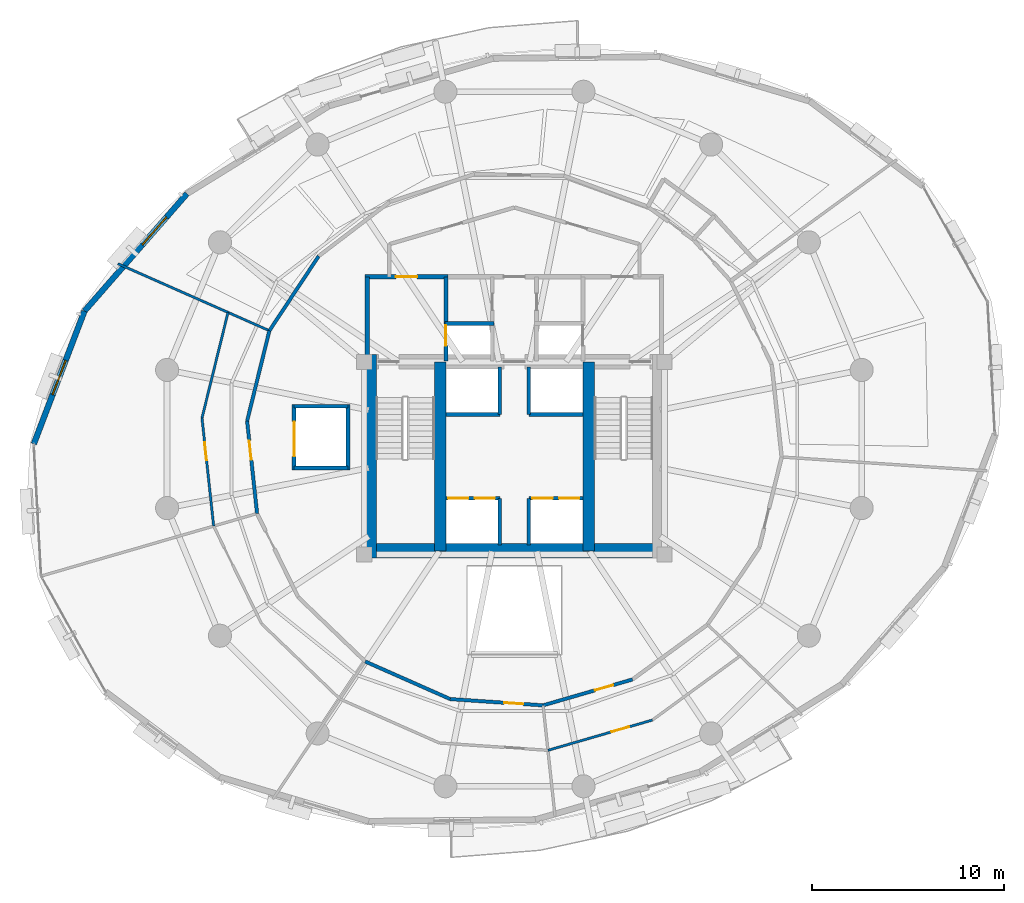
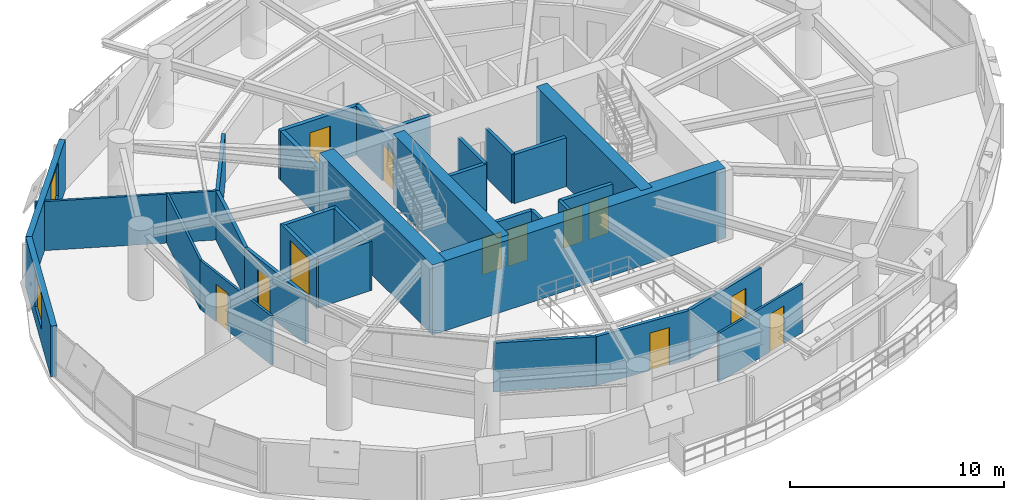
# One storey, part 10 of 15: 32 walls, 12 doors, 2 windows, 14 openings.
"""IFC4 building model written with IfcOpenShell, lengths in metres."""

from ifc_helpers import new_model, si_unit, direction, frame, frame_2d, origin, place, context, subcontext, project, spatial, rectangle, extrude, material, layer, layer_set, type_object, element, fill, save


model = new_model("IFC4")

# Units and contexts
model_context = context("Model", 3, precision=1e-05, world=origin(), true_north=direction((0.0, 1.0)))
body_context = subcontext(model_context, "Body", "Model", "MODEL_VIEW")
ifc_project = project(units=[si_unit("LENGTHUNIT", "METRE"), si_unit("AREAUNIT", "SQUARE_METRE"), si_unit("VOLUMEUNIT", "CUBIC_METRE"), si_unit("PLANEANGLEUNIT", "RADIAN"), si_unit("MASSUNIT", "GRAM", prefix="KILO"), si_unit("THERMODYNAMICTEMPERATUREUNIT", "KELVIN"), si_unit("POWERUNIT", "WATT")], contexts=[model_context])

# Site, building, storey
site_placement = place(None, origin())
site = spatial("IfcSite", under=ifc_project, at=site_placement, CompositionType="ELEMENT")
building_placement = place(site_placement, origin())
building = spatial("IfcBuilding", under=site, at=building_placement, Name="Ocrelia Relay Tower", CompositionType="ELEMENT")
storey_placement = place(building_placement, frame((0.0, 0.0, 101.800048828125)))
storey = spatial("IfcBuildingStorey", under=building, at=storey_placement, Name="L23", CompositionType="ELEMENT", Elevation=101.800048828125)

# Walls
ifc_material_1 = material(Name="Concrete C60/75", Category="concrete")
ifc_layer_1 = layer(ifc_material_1, 0.75, Name="Concrete C60/75")
ifc_layer_set_1 = layer_set([ifc_layer_1], Name="Concrete C60/75")
wall_type_1 = type_object("IfcWallType", Name="CW-CORE-750", PredefinedType="SHEAR", material=ifc_layer_set_1)
wall_1_placement = place(storey_placement, frame((26.072021484375, 20.18701171875, 0.0), z_axis=(0.0, 0.0, 1.0), x_axis=(1.0, 0.0, 0.0)))
element("IfcWall", 1, at=wall_1_placement, inside=storey, type_object=wall_type_1, Name="L23 Core Shear Wall S", PredefinedType="SHEAR", context=body_context, shape_type="SweptSolid", body=[
    extrude(rectangle(XDim=15.865966796875, YDim=0.75, at=frame_2d((7.93310546875, 0.0))), origin(), (0.0, 0.0, 1.0), 4.0),
])
wall_2_placement = place(storey_placement, frame((26.447021484375, 19.81201171875, 0.0), z_axis=(0.0, 0.0, 1.0), x_axis=(0.0, 1.0, 0.0)))
element("IfcWall", 2, at=wall_2_placement, inside=storey, type_object=wall_type_1, Name="L23 Core Shear Wall W", PredefinedType="SHEAR", context=body_context, shape_type="SweptSolid", body=[
    extrude(rectangle(XDim=10.575927734375, YDim=0.75, at=frame_2d((5.2880859375, 0.0))), origin(), (0.0, 0.0, 1.0), 4.0),
])
for number, where, z_axis, x_axis, name in (
    (3, (30.137939453125, 20.18701171875, 0.0), (0.0, 0.0, 1.0), (0.0, 1.0, 0.0), "L23 Core Shear Wall SPW"),
    (4, (37.8720703125, 20.18701171875, 0.0), (0.0, 0.0, 1.0), (0.0, 1.0, 0.0), "L23 Core Shear Wall SPE"),
):
    element("IfcWall", number, at=place(storey_placement, frame(where, z_axis=z_axis, x_axis=x_axis)), inside=storey, type_object=wall_type_1, Name=name, PredefinedType="SHEAR", context=body_context, shape_type="SweptSolid", body=[
        extrude(rectangle(XDim=9.825927734375, YDim=0.60009765625, at=frame_2d((4.9130859375, 0.0))), origin(), (0.0, 0.0, 1.0), 4.0),
    ])
ifc_material_2 = material(Name="Gypsum Fireboard Partition EI60", Category="gypsum")
ifc_layer_2 = layer(ifc_material_2, 0.179931640625, Name="Gypsum Fireboard Partition EI60")
ifc_layer_set_2 = layer_set([ifc_layer_2], Name="Gypsum Fireboard Partition EI60")
wall_type_2 = type_object("IfcWallType", Name="W-CORR-EI60-180", PredefinedType="PARTITIONING", material=ifc_layer_set_2)
wall_3_placement = place(storey_placement, frame((23.827880859375, 35.502197265625, 0.0), z_axis=(0.0, 0.0, 1.0), x_axis=(-0.551200394861, -0.834372893079, 0.0)))
element("IfcWall", 5, at=wall_3_placement, inside=storey, type_object=wall_type_2, Name="L23 Optical Switching Hall A Corridor Partition 5", PredefinedType="PARTITIONING", context=body_context, shape_type="SweptSolid", body=[
    extrude(rectangle(XDim=4.642822265625, YDim=0.179931640625, at=frame_2d((2.3212890625, 0.0))), origin(), (0.0, 0.0, 1.0), 2.800048828125),
])
wall_4_placement = place(storey_placement, frame((21.268798828125, 31.62841796875, 0.0), z_axis=(0.0, 0.0, 1.0), x_axis=(-0.239432930516, -0.970912906385, 0.0)))
element("IfcWall", 6, at=wall_4_placement, inside=storey, type_object=wall_type_2, Name="L23 Network Engineering Office A Corridor Partition 1", PredefinedType="PARTITIONING", context=body_context, shape_type="SweptSolid", body=[
    extrude(rectangle(XDim=4.834228515625, YDim=0.179931640625, at=frame_2d((2.4169921875, 0.0))), origin(), (0.0, 0.0, 1.0), 2.800048828125),
])

# Wall, opening, door
wall_5_placement = place(storey_placement, frame((20.111328125, 26.934814453125, 0.0), z_axis=(0.0, 0.0, 1.0), x_axis=(0.107160752917, -0.994241707551, 0.0)))
wall_5 = element("IfcWall", 7, at=wall_5_placement, inside=storey, type_object=wall_type_2, Name="L23 Network Engineering Office A Corridor Partition 2", PredefinedType="PARTITIONING", context=body_context, shape_type="SweptSolid", body=[
    extrude(rectangle(XDim=4.83447265625, YDim=0.179931640625, at=frame_2d((2.417236328125, 0.0))), origin(), (0.0, 0.0, 1.0), 2.800048828125),
])
opening_1_placement = place(wall_5_placement, frame((1.03369140625, 0.0, 0.0)))
opening_1 = element("IfcOpeningElement", 8, at=opening_1_placement, cuts=wall_5, Name="Opening D-RM100", PredefinedType="OPENING", context=body_context, shape_type="SweptSolid", body=[
    extrude(rectangle(XDim=1.0, YDim=2.14990234375, at=frame_2d((0.5, 1.074951171875))), frame((0.0, 0.10009765625, 0.0), z_axis=(0.0, -1.0, 0.0), x_axis=(1.0, 0.0, 0.0)), (0.0, 0.0, 1.0), 0.199951171875),
])
ifc_material_3 = material(Name="Acoustic oak veneer fire door", Category="wood")
door_type_1 = type_object("IfcDoorType", Name="DR-ROOM-FD60-1000", OperationType="NOTDEFINED", PredefinedType="DOOR", material=ifc_material_3)
door_1_placement = place(opening_1_placement, origin())
door_1 = element("IfcDoor", 9, at=door_1_placement, inside=storey, type_object=door_type_1, Name="L23 Network Engineering Office A Entrance Door", OperationType="SINGLE_SWING_RIGHT", OverallHeight=2.14990234375, OverallWidth=1.0, PredefinedType="DOOR", context=body_context, shape_type="SweptSolid", body=[
    extrude(rectangle(XDim=1.0, YDim=2.14990234375, at=frame_2d((0.5, 1.074951171875))), frame((0.0, 0.02490234375, 0.0), z_axis=(0.0, -1.0, 0.0), x_axis=(1.0, 0.0, 0.0)), (0.0, 0.0, 1.0), 0.050048828125),
])
fill(opening_1, door_1)

# Wall
wall_6_placement = place(storey_placement, frame((26.246337890625, 14.439453125, 0.0), z_axis=(0.0, 0.0, 1.0), x_axis=(0.914594968222, -0.404371171207, 0.0)))
element("IfcWall", 10, at=wall_6_placement, inside=storey, type_object=wall_type_2, Name="L23 Peering Systems Office C Corridor Partition 1", PredefinedType="PARTITIONING", context=body_context, shape_type="SweptSolid", body=[
    extrude(rectangle(XDim=4.834228515625, YDim=0.179931640625, at=frame_2d((2.4169921875, 0.0))), origin(), (0.0, 0.0, 1.0), 2.800048828125),
])

# Wall, opening, door
wall_7_placement = place(storey_placement, frame((30.667724609375, 12.484619140625, 0.0), z_axis=(0.0, 0.0, 1.0), x_axis=(0.997745204479, -0.067115623665, 0.0)))
wall_7 = element("IfcWall", 11, at=wall_7_placement, inside=storey, type_object=wall_type_2, Name="L23 Peering Systems Office C Corridor Partition 2", PredefinedType="PARTITIONING", context=body_context, shape_type="SweptSolid", body=[
    extrude(rectangle(XDim=4.83447265625, YDim=0.179931640625, at=frame_2d((2.417236328125, 0.0))), origin(), (0.0, 0.0, 1.0), 2.800048828125),
])
opening_2_placement = place(wall_7_placement, frame((2.80078125, 0.0, 0.0)))
opening_2 = element("IfcOpeningElement", 12, at=opening_2_placement, cuts=wall_7, Name="Opening D-RM100", PredefinedType="OPENING", context=body_context, shape_type="SweptSolid", body=[
    extrude(rectangle(XDim=1.0, YDim=2.14990234375, at=frame_2d((0.5, 1.074951171875))), frame((0.0, 0.10009765625, 0.0), z_axis=(0.0, -1.0, 0.0), x_axis=(1.0, 0.0, 0.0)), (0.0, 0.0, 1.0), 0.199951171875),
])
door_2_placement = place(opening_2_placement, origin())
door_2 = element("IfcDoor", 13, at=door_2_placement, inside=storey, type_object=door_type_1, Name="L23 Peering Systems Office C Entrance Door", OperationType="SINGLE_SWING_RIGHT", OverallHeight=2.14990234375, OverallWidth=1.0, PredefinedType="DOOR", context=body_context, shape_type="SweptSolid", body=[
    extrude(rectangle(XDim=1.0, YDim=2.14990234375, at=frame_2d((0.5, 1.074951171875))), frame((0.0, 0.02490234375, 0.0), z_axis=(0.0, -1.0, 0.0), x_axis=(1.0, 0.0, 0.0)), (0.0, 0.0, 1.0), 0.050048828125),
])
fill(opening_2, door_2)

wall_8_placement = place(storey_placement, frame((35.4912109375, 12.16015625, 0.0), z_axis=(0.0, 0.0, 1.0), x_axis=(0.96053834934, 0.27814758573, 0.0)))
wall_8 = element("IfcWall", 14, at=wall_8_placement, inside=storey, type_object=wall_type_2, Name="L23 Protocol Testing Lab Corridor Partition 1", PredefinedType="PARTITIONING", context=body_context, shape_type="SweptSolid", body=[
    extrude(rectangle(XDim=4.83447265625, YDim=0.179931640625, at=frame_2d((2.417236328125, 0.0))), origin(), (0.0, 0.0, 1.0), 2.800048828125),
])
opening_3_placement = place(wall_8_placement, frame((2.80078125, 0.0, 0.0)))
opening_3 = element("IfcOpeningElement", 15, at=opening_3_placement, cuts=wall_8, Name="Opening D-RM100", PredefinedType="OPENING", context=body_context, shape_type="SweptSolid", body=[
    extrude(rectangle(XDim=1.0, YDim=2.14990234375, at=frame_2d((0.5, 1.074951171875))), frame((0.0, 0.10009765625, 0.0), z_axis=(0.0, -1.0, 0.0), x_axis=(1.0, 0.0, 0.0)), (0.0, 0.0, 1.0), 0.199951171875),
])
door_3_placement = place(opening_3_placement, origin())
door_3 = element("IfcDoor", 16, at=door_3_placement, inside=storey, type_object=door_type_1, Name="L23 Protocol Testing Lab Entrance Door", OperationType="SINGLE_SWING_RIGHT", OverallHeight=2.14990234375, OverallWidth=1.0, PredefinedType="DOOR", context=body_context, shape_type="SweptSolid", body=[
    extrude(rectangle(XDim=1.0, YDim=2.14990234375, at=frame_2d((0.5, 1.074951171875))), frame((0.0, 0.02490234375, 0.0), z_axis=(0.0, -1.0, 0.0), x_axis=(1.0, 0.0, 0.0)), (0.0, 0.0, 1.0), 0.050048828125),
])
fill(opening_3, door_3)

# Wall, opening, window
ifc_material_4 = material(Name="Precast concrete C40/50 with oxide terracotta", Category="masonry")
ifc_layer_3 = layer(ifc_material_4, 0.300048828125, Name="Precast concrete C40/50 with oxide terracotta")
ifc_layer_set_3 = layer_set([ifc_layer_3], Name="Precast concrete C40/50 with oxide terracotta")
wall_type_3 = type_object("IfcWallType", Name="W-EXT-TERR-300", PredefinedType="SOLIDWALL", material=ifc_layer_set_3)
wall_9_placement = place(storey_placement, frame((16.983642578125, 38.743896484375, 0.0), z_axis=(0.0, 0.0, 1.0), x_axis=(-0.657799717716, -0.753192891212, 0.0)))
wall_9 = element("IfcWall", 17, at=wall_9_placement, inside=storey, type_object=wall_type_3, Name="L23 Oxide Terracotta Facade Wall 07", PredefinedType="SOLIDWALL", context=body_context, shape_type="SweptSolid", body=[
    extrude(rectangle(XDim=8.09521484375, YDim=0.300048828125, at=frame_2d((4.047607421875, 0.0))), origin(), (0.0, 0.0, 1.0), 2.89990234375),
])
opening_4_placement = place(wall_9_placement, frame((1.614990234375, 0.0, 0.800048828125)))
opening_4 = element("IfcOpeningElement", 18, at=opening_4_placement, cuts=wall_9, Name="Opening W-06", PredefinedType="OPENING", context=body_context, shape_type="SweptSolid", body=[
    extrude(rectangle(XDim=1.89990234375, YDim=1.949951171875, at=frame_2d((0.949951171875, 0.97509765625))), frame((0.0, 0.16015625, 0.0), z_axis=(0.0, -1.0, 0.0), x_axis=(1.0, 0.0, 0.0)), (0.0, 0.0, 1.0), 0.320068359375),
])
ifc_material_5 = material(Name="Clear double-glazed low-E glass", Category="glass")
window_type = type_object("IfcWindowType", Name="WIN-Z2-1900x2100", PartitioningType="DOUBLE_PANEL_VERTICAL", PredefinedType="WINDOW", material=ifc_material_5)
window_1_placement = place(opening_4_placement, origin())
window_1 = element("IfcWindow", 19, at=window_1_placement, inside=storey, type_object=window_type, Name="L23 Facade Module Window 07", OverallHeight=1.949951171875, OverallWidth=1.89990234375, PartitioningType="SINGLE_PANEL", PredefinedType="WINDOW", context=body_context, shape_type="SweptSolid", body=[
    extrude(rectangle(XDim=1.89990234375, YDim=1.949951171875, at=frame_2d((0.949951171875, 0.97509765625))), frame((0.0, 0.030029296875, 0.0), z_axis=(0.0, -1.0, 0.0), x_axis=(1.0, 0.0, 0.0)), (0.0, 0.0, 1.0), 0.06005859375),
])
fill(opening_4, window_1)

wall_10_placement = place(storey_placement, frame((11.65869140625, 32.646728515625, 0.0), z_axis=(0.0, 0.0, 1.0), x_axis=(-0.356227700277, -0.934399178914, 0.0)))
wall_10 = element("IfcWall", 20, at=wall_10_placement, inside=storey, type_object=wall_type_3, Name="L23 Oxide Terracotta Facade Wall 08", PredefinedType="SOLIDWALL", context=body_context, shape_type="SweptSolid", body=[
    extrude(rectangle(XDim=7.38330078125, YDim=0.300048828125, at=frame_2d((3.691650390625, 0.0))), origin(), (0.0, 0.0, 1.0), 2.89990234375),
])
opening_5_placement = place(wall_10_placement, frame((2.741943359375, 0.0, 0.800048828125)))
opening_5 = element("IfcOpeningElement", 21, at=opening_5_placement, cuts=wall_10, Name="Opening W-06", PredefinedType="OPENING", context=body_context, shape_type="SweptSolid", body=[
    extrude(rectangle(XDim=1.89990234375, YDim=1.949951171875, at=frame_2d((0.949951171875, 0.97509765625))), frame((0.0, 0.16015625, 0.0), z_axis=(0.0, -1.0, 0.0), x_axis=(1.0, 0.0, 0.0)), (0.0, 0.0, 1.0), 0.320068359375),
])
window_2_placement = place(opening_5_placement, origin())
window_2 = element("IfcWindow", 22, at=window_2_placement, inside=storey, type_object=window_type, Name="L23 Facade Module Window 08", OverallHeight=1.949951171875, OverallWidth=1.89990234375, PartitioningType="SINGLE_PANEL", PredefinedType="WINDOW", context=body_context, shape_type="SweptSolid", body=[
    extrude(rectangle(XDim=1.89990234375, YDim=1.949951171875, at=frame_2d((0.949951171875, 0.97509765625))), frame((0.0, 0.030029296875, 0.0), z_axis=(0.0, -1.0, 0.0), x_axis=(1.0, 0.0, 0.0)), (0.0, 0.0, 1.0), 0.06005859375),
])
fill(opening_5, window_2)

# Wall
ifc_material_6 = material(Name="Concrete C50/60", Category="concrete")
ifc_layer_4 = layer(ifc_material_6, 0.219970703125, Name="Concrete C50/60")
ifc_layer_set_4 = layer_set([ifc_layer_4], Name="Concrete C50/60")
wall_type_4 = type_object("IfcWallType", Name="W-FFL-EI120-220", PredefinedType="SOLIDWALL", material=ifc_layer_set_4)
wall_11_placement = place(storey_placement, frame((26.35009765625, 30.050048828125, 0.0), z_axis=(0.0, 0.0, 1.0), x_axis=(0.0, 1.0, 0.0)))
element("IfcWall", 23, at=wall_11_placement, inside=storey, type_object=wall_type_4, Name="L23 W Fire Service Lift Lobby West Wall", PredefinedType="SOLIDWALL", context=body_context, shape_type="SweptSolid", body=[
    extrude(rectangle(XDim=4.3798828125, YDim=0.219970703125, at=frame_2d((2.18994140625, 0.0))), origin(), (0.0, 0.0, 1.0), 2.800048828125),
])

# Wall, opening, door
wall_12_placement = place(storey_placement, frame((30.43994140625, 30.050048828125, 0.0), z_axis=(0.0, 0.0, 1.0), x_axis=(0.0, 1.0, 0.0)))
wall_12 = element("IfcWall", 24, at=wall_12_placement, inside=storey, type_object=wall_type_4, Name="L23 W Fire Service Lift Lobby East Wall", PredefinedType="SOLIDWALL", context=body_context, shape_type="SweptSolid", body=[
    extrude(rectangle(XDim=4.3798828125, YDim=0.219970703125, at=frame_2d((2.18994140625, 0.0))), origin(), (0.0, 0.0, 1.0), 2.800048828125),
])
opening_6_placement = place(wall_12_placement, frame((0.800048828125, 0.0, 0.0)))
opening_6 = element("IfcOpeningElement", 25, at=opening_6_placement, cuts=wall_12, Name="Opening LD-FFL1", PredefinedType="OPENING", context=body_context, shape_type="SweptSolid", body=[
    extrude(rectangle(XDim=1.050048828125, YDim=2.10009765625, at=frame_2d((0.52490234375, 1.050048828125))), frame((0.0, 0.1201171875, 0.0), z_axis=(0.0, -1.0, 0.0), x_axis=(1.0, 0.0, 0.0)), (0.0, 0.0, 1.0), 0.239990234375),
])
ifc_material_7 = material(Name="Brushed stainless steel S355 lift landing door", Category="steel")
door_type_2 = type_object("IfcDoorType", Name="DR-LIFT-LAND-1050", OperationType="DOUBLE_DOOR_SLIDING", PredefinedType="USERDEFINED", material=ifc_material_7)
door_4_placement = place(opening_6_placement, origin())
door_4 = element("IfcDoor", 26, at=door_4_placement, inside=storey, type_object=door_type_2, Name="L23 Firefighting Lift FFL1 Sliding Landing Door", ObjectType="LANDING DOOR", OperationType="DOUBLE_DOOR_SLIDING", OverallHeight=2.10009765625, OverallWidth=1.050048828125, PredefinedType="USERDEFINED", context=body_context, shape_type="SweptSolid", body=[
    extrude(rectangle(XDim=1.050048828125, YDim=2.10009765625, at=frame_2d((0.52490234375, 1.050048828125))), frame((0.0, 0.02490234375, 0.0), z_axis=(0.0, -1.0, 0.0), x_axis=(1.0, 0.0, 0.0)), (0.0, 0.0, 1.0), 0.050048828125),
])
fill(opening_6, door_4)

wall_13_placement = place(storey_placement, frame((26.239990234375, 34.429931640625, 0.0), z_axis=(0.0, 0.0, 1.0), x_axis=(1.0, 0.0, 0.0)))
wall_13 = element("IfcWall", 27, at=wall_13_placement, inside=storey, type_object=wall_type_4, Name="L23 W Fire Service Lift Lobby North Wall", PredefinedType="SOLIDWALL", context=body_context, shape_type="SweptSolid", body=[
    extrude(rectangle(XDim=4.31005859375, YDim=0.219970703125, at=frame_2d((2.155029296875, 0.0))), origin(), (0.0, 0.0, 1.0), 2.800048828125),
])
opening_7_placement = place(wall_13_placement, frame((1.60009765625, 0.0, 0.0)))
opening_7 = element("IfcOpeningElement", 28, at=opening_7_placement, cuts=wall_13, Name="Opening D-FD60", PredefinedType="OPENING", context=body_context, shape_type="SweptSolid", body=[
    extrude(rectangle(XDim=1.10009765625, YDim=2.14990234375, at=frame_2d((0.550048828125, 1.074951171875))), frame((0.0, 0.1201171875, 0.0), z_axis=(0.0, -1.0, 0.0), x_axis=(1.0, 0.0, 0.0)), (0.0, 0.0, 1.0), 0.239990234375),
])
ifc_material_8 = material(Name="Timber-core 60-min acoustic fire door", Category="wood")
door_type_3 = type_object("IfcDoorType", Name="DR-LOBBY-FD60-1100", OperationType="NOTDEFINED", PredefinedType="DOOR", material=ifc_material_8)
door_5_placement = place(opening_7_placement, origin())
door_5 = element("IfcDoor", 29, at=door_5_placement, inside=storey, type_object=door_type_3, Name="L23 W Fire Service Lift Lobby Exit Door", OperationType="SINGLE_SWING_RIGHT", OverallHeight=2.14990234375, OverallWidth=1.10009765625, PredefinedType="DOOR", context=body_context, shape_type="SweptSolid", body=[
    extrude(rectangle(XDim=1.10009765625, YDim=2.14990234375, at=frame_2d((0.550048828125, 1.074951171875))), frame((0.0, 0.02490234375, 0.0), z_axis=(0.0, -1.0, 0.0), x_axis=(1.0, 0.0, 0.0)), (0.0, 0.0, 1.0), 0.050048828125),
])
fill(opening_7, door_5)

# Walls
ifc_material_9 = material(Name="Acoustic Fireboard Partition EI60", Category="gypsum")
ifc_layer_5 = layer(ifc_material_9, 0.125, Name="Acoustic Fireboard Partition EI60")
ifc_layer_set_5 = layer_set([ifc_layer_5], Name="Acoustic Fireboard Partition EI60")
wall_type_5 = type_object("IfcWallType", Name="W-PART-125", PredefinedType="PARTITIONING", material=ifc_layer_set_5)
wall_14_placement = place(storey_placement, frame((21.268798828125, 31.62841796875, 0.0), z_axis=(0.0, 0.0, 1.0), x_axis=(-0.914600722763, 0.404358155504, 0.0)))
element("IfcWall", 30, at=wall_14_placement, inside=storey, type_object=wall_type_5, Name="L23 Optical Switching Hall A Radial Partition", PredefinedType="PARTITIONING", context=body_context, shape_type="SweptSolid", body=[
    extrude(rectangle(XDim=8.60498046875, YDim=0.125, at=frame_2d((4.302490234375, 0.0))), origin(), (0.0, 0.0, 1.0), 2.800048828125),
])
wall_15_placement = place(storey_placement, frame((19.119384765625, 32.57861328125, 0.0), z_axis=(0.0, 0.0, 1.0), x_axis=(-0.239403213687, -0.97092023425, 0.0)))
element("IfcWall", 31, at=wall_15_placement, inside=storey, type_object=wall_type_5, Name="L23 Perimeter Network Engineering Office A Mid-Ring Partition 1", PredefinedType="PARTITIONING", context=body_context, shape_type="SweptSolid", body=[
    extrude(rectangle(XDim=5.650634765625, YDim=0.125, at=frame_2d((2.8251953125, 0.0))), origin(), (0.0, 0.0, 1.0), 2.800048828125),
])

# Wall, opening, door
wall_16_placement = place(storey_placement, frame((17.7666015625, 27.09228515625, 0.0), z_axis=(0.0, 0.0, 1.0), x_axis=(0.107158626815, -0.994241936703, 0.0)))
wall_16 = element("IfcWall", 32, at=wall_16_placement, inside=storey, type_object=wall_type_5, Name="L23 Perimeter Network Engineering Office A Mid-Ring Partition 2", PredefinedType="PARTITIONING", context=body_context, shape_type="SweptSolid", body=[
    extrude(rectangle(XDim=5.650146484375, YDim=0.125, at=frame_2d((2.8251953125, 0.0))), origin(), (0.0, 0.0, 1.0), 2.800048828125),
])
opening_8_placement = place(wall_16_placement, frame((1.26513671875, 0.0, 0.0)))
opening_8 = element("IfcOpeningElement", 33, at=opening_8_placement, cuts=wall_16, Name="Opening D-RM95", PredefinedType="OPENING", context=body_context, shape_type="SweptSolid", body=[
    extrude(rectangle(XDim=0.949951171875, YDim=2.14990234375, at=frame_2d((0.47509765625, 1.074951171875))), frame((0.0, 0.072509765625, 0.0), z_axis=(0.0, -1.0, 0.0), x_axis=(1.0, 0.0, 0.0)), (0.0, 0.0, 1.0), 0.14501953125),
])
door_type_4 = type_object("IfcDoorType", Name="DR-ROOM-950", OperationType="NOTDEFINED", PredefinedType="DOOR", material=ifc_material_3)
door_6_placement = place(opening_8_placement, origin())
door_6 = element("IfcDoor", 34, at=door_6_placement, inside=storey, type_object=door_type_4, Name="L23 Perimeter Network Engineering Office A Connecting Door", OperationType="SINGLE_SWING_LEFT", OverallHeight=2.14990234375, OverallWidth=0.949951171875, PredefinedType="DOOR", context=body_context, shape_type="SweptSolid", body=[
    extrude(rectangle(XDim=0.949951171875, YDim=2.14990234375, at=frame_2d((0.47509765625, 1.074951171875))), frame((0.0, 0.02490234375, 0.0), z_axis=(0.0, -1.0, 0.0), x_axis=(1.0, 0.0, 0.0)), (0.0, 0.0, 1.0), 0.050048828125),
])
fill(opening_8, door_6)

wall_17_placement = place(storey_placement, frame((35.742919921875, 9.823486328125, 0.0), z_axis=(0.0, 0.0, 1.0), x_axis=(0.960536321172, 0.278154589587, 0.0)))
wall_17 = element("IfcWall", 35, at=wall_17_placement, inside=storey, type_object=wall_type_5, Name="L23 Perimeter Protocol Testing Lab Mid-Ring Partition 1", PredefinedType="PARTITIONING", context=body_context, shape_type="SweptSolid", body=[
    extrude(rectangle(XDim=5.650634765625, YDim=0.125, at=frame_2d((2.8251953125, 0.0))), origin(), (0.0, 0.0, 1.0), 2.800048828125),
])
opening_9_placement = place(wall_17_placement, frame((3.435302734375, 0.0, 0.0)))
opening_9 = element("IfcOpeningElement", 36, at=opening_9_placement, cuts=wall_17, Name="Opening D-RM95", PredefinedType="OPENING", context=body_context, shape_type="SweptSolid", body=[
    extrude(rectangle(XDim=0.949951171875, YDim=2.14990234375, at=frame_2d((0.47509765625, 1.074951171875))), frame((0.0, 0.072509765625, 0.0), z_axis=(0.0, -1.0, 0.0), x_axis=(1.0, 0.0, 0.0)), (0.0, 0.0, 1.0), 0.14501953125),
])
door_7_placement = place(opening_9_placement, origin())
door_7 = element("IfcDoor", 37, at=door_7_placement, inside=storey, type_object=door_type_4, Name="L23 Perimeter Protocol Testing Lab Connecting Door", OperationType="SINGLE_SWING_LEFT", OverallHeight=2.14990234375, OverallWidth=0.949951171875, PredefinedType="DOOR", context=body_context, shape_type="SweptSolid", body=[
    extrude(rectangle(XDim=0.949951171875, YDim=2.14990234375, at=frame_2d((0.47509765625, 1.074951171875))), frame((0.0, 0.02490234375, 0.0), z_axis=(0.0, -1.0, 0.0), x_axis=(1.0, 0.0, 0.0)), (0.0, 0.0, 1.0), 0.050048828125),
])
fill(opening_9, door_7)

# Wall
ifc_layer_6 = layer(ifc_material_6, 0.199951171875, Name="Concrete C50/60")
ifc_layer_set_6 = layer_set([ifc_layer_6], Name="Concrete C50/60")
wall_type_6 = type_object("IfcWallType", Name="W-SHAFT-EI120-200", PredefinedType="SOLIDWALL", material=ifc_layer_set_6)
wall_18_placement = place(storey_placement, frame((30.39990234375, 32.0, 0.0), z_axis=(0.0, 0.0, 1.0), x_axis=(1.0, 0.0, 0.0)))
element("IfcWall", 38, at=wall_18_placement, inside=storey, type_object=wall_type_6, Name="L23 FFL1 Hoistway North Wall", PredefinedType="SOLIDWALL", context=body_context, shape_type="SweptSolid", body=[
    extrude(rectangle(XDim=2.550048828125, YDim=0.199951171875, at=frame_2d((1.27490234375, 0.0))), origin(), (0.0, 0.0, 1.0), 2.800048828125),
])

# Wall, openings, doors
wall_19_placement = place(storey_placement, frame((30.43994140625, 22.919921875, 0.0), z_axis=(0.0, 0.0, 1.0), x_axis=(1.0, 0.0, 0.0)))
wall_19 = element("IfcWall", 39, at=wall_19_placement, inside=storey, type_object=wall_type_6, Name="L23 Low-Rise Lift Hoistway Wall W", PredefinedType="SOLIDWALL", context=body_context, shape_type="SweptSolid", body=[
    extrude(rectangle(XDim=2.81005859375, YDim=0.199951171875, at=frame_2d((1.405029296875, 0.0))), origin(), (0.0, 0.0, 1.0), 2.800048828125),
])
opening_10_placement = place(wall_19_placement, frame((0.1201171875, 0.0, 0.0)))
opening_10 = element("IfcOpeningElement", 40, at=opening_10_placement, cuts=wall_19, Name="Opening LD-PL1", PredefinedType="OPENING", context=body_context, shape_type="SweptSolid", body=[
    extrude(rectangle(XDim=1.050048828125, YDim=2.10009765625, at=frame_2d((0.52490234375, 1.050048828125))), frame((0.0, 0.10986328125, 0.0), z_axis=(0.0, -1.0, 0.0), x_axis=(1.0, 0.0, 0.0)), (0.0, 0.0, 1.0), 0.219970703125),
])
opening_11_placement = place(wall_19_placement, frame((1.5, 0.0, 0.0)))
opening_11 = element("IfcOpeningElement", 41, at=opening_11_placement, cuts=wall_19, Name="Opening LD-PL2", PredefinedType="OPENING", context=body_context, shape_type="SweptSolid", body=[
    extrude(rectangle(XDim=1.050048828125, YDim=2.10009765625, at=frame_2d((0.52490234375, 1.050048828125))), frame((0.0, 0.10986328125, 0.0), z_axis=(0.0, -1.0, 0.0), x_axis=(1.0, 0.0, 0.0)), (0.0, 0.0, 1.0), 0.219970703125),
])
door_8_placement = place(opening_10_placement, origin())
door_8 = element("IfcDoor", 42, at=door_8_placement, inside=storey, type_object=door_type_2, Name="L23 Passenger Lift PL1 Sliding Landing Door", ObjectType="LANDING DOOR", OperationType="DOUBLE_DOOR_SLIDING", OverallHeight=2.10009765625, OverallWidth=1.050048828125, PredefinedType="USERDEFINED", context=body_context, shape_type="SweptSolid", body=[
    extrude(rectangle(XDim=1.050048828125, YDim=2.10009765625, at=frame_2d((0.52490234375, 1.050048828125))), frame((0.0, 0.02490234375, 0.0), z_axis=(0.0, -1.0, 0.0), x_axis=(1.0, 0.0, 0.0)), (0.0, 0.0, 1.0), 0.050048828125),
])
fill(opening_10, door_8)
door_9_placement = place(opening_11_placement, origin())
door_9 = element("IfcDoor", 43, at=door_9_placement, inside=storey, type_object=door_type_2, Name="L23 Passenger Lift PL2 Sliding Landing Door", ObjectType="LANDING DOOR", OperationType="DOUBLE_DOOR_SLIDING", OverallHeight=2.10009765625, OverallWidth=1.050048828125, PredefinedType="USERDEFINED", context=body_context, shape_type="SweptSolid", body=[
    extrude(rectangle(XDim=1.050048828125, YDim=2.10009765625, at=frame_2d((0.52490234375, 1.050048828125))), frame((0.0, 0.02490234375, 0.0), z_axis=(0.0, -1.0, 0.0), x_axis=(1.0, 0.0, 0.0)), (0.0, 0.0, 1.0), 0.050048828125),
])
fill(opening_11, door_9)

# Wall
wall_20_placement = place(storey_placement, frame((33.25, 20.5, 0.0), z_axis=(0.0, 0.0, 1.0), x_axis=(0.0, 1.0, 0.0)))
element("IfcWall", 44, at=wall_20_placement, inside=storey, type_object=wall_type_6, Name="L23 Low-Rise Lift Throat Wall W", PredefinedType="SOLIDWALL", context=body_context, shape_type="SweptSolid", body=[
    extrude(rectangle(XDim=2.419921875, YDim=0.179931640625, at=frame_2d((1.2099609375, 0.0))), origin(), (0.0, 0.0, 1.0), 2.800048828125),
])

# Wall, openings, doors
wall_21_placement = place(storey_placement, frame((34.75, 22.919921875, 0.0), z_axis=(0.0, 0.0, 1.0), x_axis=(1.0, 0.0, 0.0)))
wall_21 = element("IfcWall", 45, at=wall_21_placement, inside=storey, type_object=wall_type_6, Name="L23 Low-Rise Lift Hoistway Wall E", PredefinedType="SOLIDWALL", context=body_context, shape_type="SweptSolid", body=[
    extrude(rectangle(XDim=2.81005859375, YDim=0.199951171875, at=frame_2d((1.405029296875, 0.0))), origin(), (0.0, 0.0, 1.0), 2.800048828125),
])
opening_12_placement = place(wall_21_placement, frame((0.18994140625, 0.0, 0.0)))
opening_12 = element("IfcOpeningElement", 46, at=opening_12_placement, cuts=wall_21, Name="Opening LD-PL3", PredefinedType="OPENING", context=body_context, shape_type="SweptSolid", body=[
    extrude(rectangle(XDim=1.050048828125, YDim=2.10009765625, at=frame_2d((0.52490234375, 1.050048828125))), frame((0.0, 0.10986328125, 0.0), z_axis=(0.0, -1.0, 0.0), x_axis=(1.0, 0.0, 0.0)), (0.0, 0.0, 1.0), 0.219970703125),
])
opening_13_placement = place(wall_21_placement, frame((1.570068359375, 0.0, 0.0)))
opening_13 = element("IfcOpeningElement", 47, at=opening_13_placement, cuts=wall_21, Name="Opening LD-PL4", PredefinedType="OPENING", context=body_context, shape_type="SweptSolid", body=[
    extrude(rectangle(XDim=1.050048828125, YDim=2.10009765625, at=frame_2d((0.52490234375, 1.050048828125))), frame((0.0, 0.10986328125, 0.0), z_axis=(0.0, -1.0, 0.0), x_axis=(1.0, 0.0, 0.0)), (0.0, 0.0, 1.0), 0.219970703125),
])
door_10_placement = place(opening_12_placement, origin())
door_10 = element("IfcDoor", 48, at=door_10_placement, inside=storey, type_object=door_type_2, Name="L23 Passenger Lift PL3 Sliding Landing Door", ObjectType="LANDING DOOR", OperationType="DOUBLE_DOOR_SLIDING", OverallHeight=2.10009765625, OverallWidth=1.050048828125, PredefinedType="USERDEFINED", context=body_context, shape_type="SweptSolid", body=[
    extrude(rectangle(XDim=1.050048828125, YDim=2.10009765625, at=frame_2d((0.52490234375, 1.050048828125))), frame((0.0, 0.02490234375, 0.0), z_axis=(0.0, -1.0, 0.0), x_axis=(1.0, 0.0, 0.0)), (0.0, 0.0, 1.0), 0.050048828125),
])
fill(opening_12, door_10)
door_11_placement = place(opening_13_placement, origin())
door_11 = element("IfcDoor", 49, at=door_11_placement, inside=storey, type_object=door_type_2, Name="L23 Passenger Lift PL4 Sliding Landing Door", ObjectType="LANDING DOOR", OperationType="DOUBLE_DOOR_SLIDING", OverallHeight=2.10009765625, OverallWidth=1.050048828125, PredefinedType="USERDEFINED", context=body_context, shape_type="SweptSolid", body=[
    extrude(rectangle(XDim=1.050048828125, YDim=2.10009765625, at=frame_2d((0.52490234375, 1.050048828125))), frame((0.0, 0.02490234375, 0.0), z_axis=(0.0, -1.0, 0.0), x_axis=(1.0, 0.0, 0.0)), (0.0, 0.0, 1.0), 0.050048828125),
])
fill(opening_13, door_11)

# Walls
wall_22_placement = place(storey_placement, frame((34.75, 20.5, 0.0), z_axis=(0.0, 0.0, 1.0), x_axis=(0.0, 1.0, 0.0)))
element("IfcWall", 50, at=wall_22_placement, inside=storey, type_object=wall_type_6, Name="L23 Low-Rise Lift Throat Wall E", PredefinedType="SOLIDWALL", context=body_context, shape_type="SweptSolid", body=[
    extrude(rectangle(XDim=2.419921875, YDim=0.179931640625, at=frame_2d((1.2099609375, 0.0))), origin(), (0.0, 0.0, 1.0), 2.800048828125),
])
wall_23_placement = place(storey_placement, frame((30.43994140625, 27.280029296875, 0.0), z_axis=(0.0, 0.0, 1.0), x_axis=(1.0, 0.0, 0.0)))
element("IfcWall", 51, at=wall_23_placement, inside=storey, type_object=wall_type_6, Name="L23 High-Rise Lift Hoistway Wall W", PredefinedType="SOLIDWALL", context=body_context, shape_type="SweptSolid", body=[
    extrude(rectangle(XDim=2.81005859375, YDim=0.199951171875, at=frame_2d((1.405029296875, 0.0))), origin(), (0.0, 0.0, 1.0), 2.800048828125),
])
wall_24_placement = place(storey_placement, frame((33.25, 27.280029296875, 0.0), z_axis=(0.0, 0.0, 1.0), x_axis=(0.0, 1.0, 0.0)))
element("IfcWall", 52, at=wall_24_placement, inside=storey, type_object=wall_type_6, Name="L23 High-Rise Lift Throat Wall W", PredefinedType="SOLIDWALL", context=body_context, shape_type="SweptSolid", body=[
    extrude(rectangle(XDim=2.469970703125, YDim=0.179931640625, at=frame_2d((1.23486328125, 0.0))), origin(), (0.0, 0.0, 1.0), 2.800048828125),
])
wall_25_placement = place(storey_placement, frame((34.75, 27.280029296875, 0.0), z_axis=(0.0, 0.0, 1.0), x_axis=(1.0, 0.0, 0.0)))
element("IfcWall", 53, at=wall_25_placement, inside=storey, type_object=wall_type_6, Name="L23 High-Rise Lift Hoistway Wall E", PredefinedType="SOLIDWALL", context=body_context, shape_type="SweptSolid", body=[
    extrude(rectangle(XDim=2.81005859375, YDim=0.199951171875, at=frame_2d((1.405029296875, 0.0))), origin(), (0.0, 0.0, 1.0), 2.800048828125),
])
wall_26_placement = place(storey_placement, frame((34.75, 27.280029296875, 0.0), z_axis=(0.0, 0.0, 1.0), x_axis=(0.0, 1.0, 0.0)))
element("IfcWall", 54, at=wall_26_placement, inside=storey, type_object=wall_type_6, Name="L23 High-Rise Lift Throat Wall E", PredefinedType="SOLIDWALL", context=body_context, shape_type="SweptSolid", body=[
    extrude(rectangle(XDim=2.469970703125, YDim=0.179931640625, at=frame_2d((1.23486328125, 0.0))), origin(), (0.0, 0.0, 1.0), 2.800048828125),
])

# Wall, opening, door
wall_27_placement = place(storey_placement, frame((22.550048828125, 24.39990234375, 0.0), z_axis=(0.0, 0.0, 1.0), x_axis=(0.0, 1.0, 0.0)))
wall_27 = element("IfcWall", 55, at=wall_27_placement, inside=storey, type_object=wall_type_6, Name="L23 Goods Lift Shaft West Wall", PredefinedType="SOLIDWALL", context=body_context, shape_type="SweptSolid", body=[
    extrude(rectangle(XDim=3.400146484375, YDim=0.199951171875, at=frame_2d((1.7001953125, 0.0))), origin(), (0.0, 0.0, 1.0), 2.800048828125),
])
opening_14_placement = place(wall_27_placement, frame((0.699951171875, 0.0, 0.0)))
opening_14 = element("IfcOpeningElement", 56, at=opening_14_placement, cuts=wall_27, Name="Opening LD-GL1", PredefinedType="OPENING", context=body_context, shape_type="SweptSolid", body=[
    extrude(rectangle(XDim=1.800048828125, YDim=2.39990234375, at=frame_2d((0.89990234375, 1.199951171875))), frame((0.0, 0.10986328125, 0.0), z_axis=(0.0, -1.0, 0.0), x_axis=(1.0, 0.0, 0.0)), (0.0, 0.0, 1.0), 0.219970703125),
])
ifc_material_10 = material(Name="Heavy-duty stainless steel S355 goods landing door", Category="steel")
door_type_5 = type_object("IfcDoorType", Name="DR-GOODS-LAND-1800", OperationType="DOUBLE_DOOR_SLIDING", PredefinedType="USERDEFINED", material=ifc_material_10)
door_12_placement = place(opening_14_placement, origin())
door_12 = element("IfcDoor", 57, at=door_12_placement, inside=storey, type_object=door_type_5, Name="L23 Goods Lift GL1 Sliding Landing Door", ObjectType="LANDING DOOR", OperationType="DOUBLE_DOOR_SLIDING", OverallHeight=2.39990234375, OverallWidth=1.800048828125, PredefinedType="USERDEFINED", context=body_context, shape_type="SweptSolid", body=[
    extrude(rectangle(XDim=1.800048828125, YDim=2.39990234375, at=frame_2d((0.89990234375, 1.199951171875))), frame((0.0, 0.02490234375, 0.0), z_axis=(0.0, -1.0, 0.0), x_axis=(1.0, 0.0, 0.0)), (0.0, 0.0, 1.0), 0.050048828125),
])
fill(opening_14, door_12)

# Walls
wall_28_placement = place(storey_placement, frame((25.35009765625, 24.39990234375, 0.0), z_axis=(0.0, 0.0, 1.0), x_axis=(0.0, 1.0, 0.0)))
element("IfcWall", 58, at=wall_28_placement, inside=storey, type_object=wall_type_6, Name="L23 Goods Lift Shaft E Wall", PredefinedType="SOLIDWALL", context=body_context, shape_type="SweptSolid", body=[
    extrude(rectangle(XDim=3.400146484375, YDim=0.199951171875, at=frame_2d((1.7001953125, 0.0))), origin(), (0.0, 0.0, 1.0), 2.800048828125),
])
for number, where, z_axis, x_axis, name in (
    (59, (22.550048828125, 24.5, 0.0), (0.0, 0.0, 1.0), (1.0, 0.0, 0.0), "L23 Goods Lift Shaft S Wall"),
    (60, (22.550048828125, 27.699951171875, 0.0), (0.0, 0.0, 1.0), (1.0, 0.0, 0.0), "L23 Goods Lift Shaft N Wall"),
):
    element("IfcWall", number, at=place(storey_placement, frame(where, z_axis=z_axis, x_axis=x_axis)), inside=storey, type_object=wall_type_6, Name=name, PredefinedType="SOLIDWALL", context=body_context, shape_type="SweptSolid", body=[
        extrude(rectangle(XDim=2.800048828125, YDim=0.199951171875, at=frame_2d((1.39990234375, 0.0))), origin(), (0.0, 0.0, 1.0), 2.800048828125),
    ])

save(model, "model.ifc")
